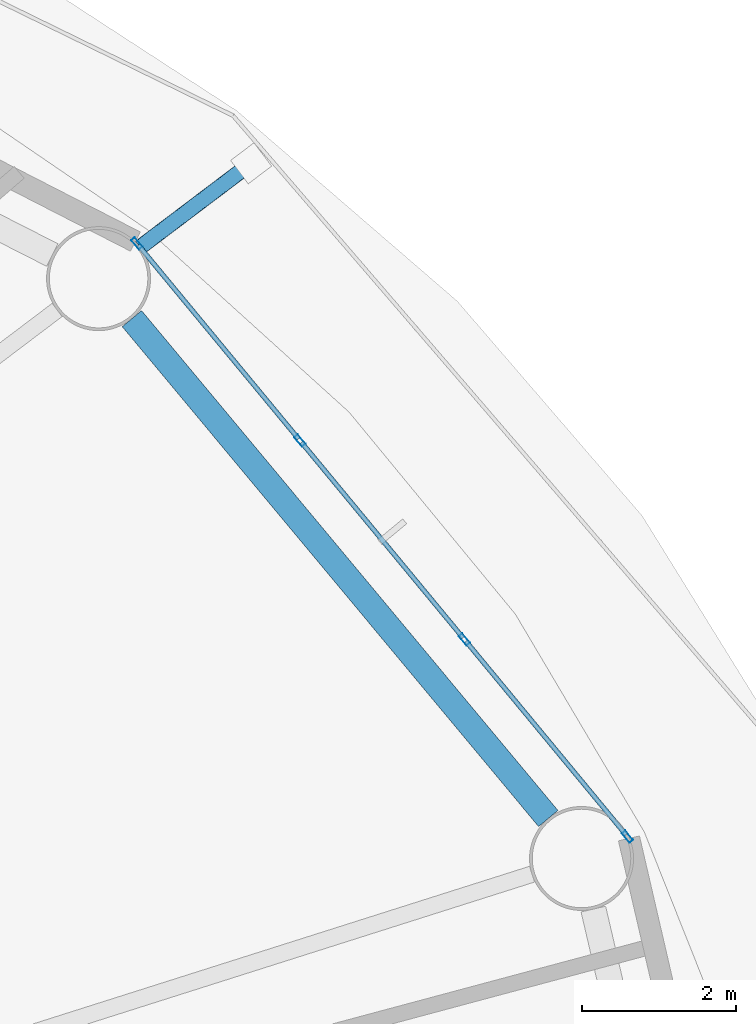
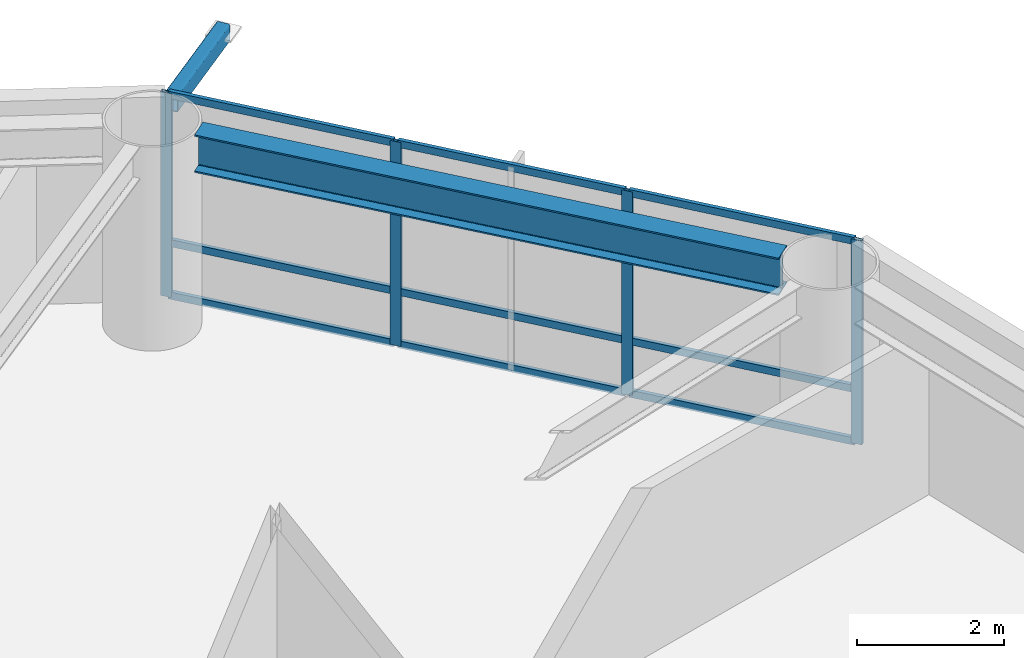
# One storey, part 14 of 26: 14 members, 1 beam, 1 element without a shape of its own.
"""IFC4 building model written with IfcOpenShell, lengths in metres."""

import ifcopenshell
import ifcopenshell.guid

model = None  # the IFC model being written
_history = None  # IfcOwnerHistory: only IFC2X3 demands one
_inside = {}  # id of a spatial element -> (the spatial element, [elements in it])
_under = {}  # id of a project, library or spatial element -> (it, [spatial elements below it])
_declared = {}  # id of a project -> (the project, [libraries it declares])
_typed = {}  # id of a type object -> (the type object, [elements of that type])
_made_of = {}  # id of a material, layer set ... -> (it, [elements and type objects made of it])


def new_model(schema):
    """Start an empty IFC model of exactly this schema.

    Asked for "IFC4X3", IfcOpenShell would pick the latest addendum, in which some entities
    have other attributes; the version numbers below select the first issue.
    IFC2X3 requires an IfcOwnerHistory on every rooted entity: one is made here for all.
    """
    global model, _history
    if schema == "IFC4X3":
        model = ifcopenshell.file(schema_version=(4, 3, 0, 0))
    else:
        model = ifcopenshell.file(schema=schema)
    _inside.clear()
    _under.clear()
    _declared.clear()
    _typed.clear()
    _made_of.clear()
    _history = None
    if model.schema == "IFC2X3":
        org = make("IfcOrganization", Name="unknown")
        user = make(
            "IfcPersonAndOrganization",
            ThePerson=make("IfcPerson", FamilyName="unknown"),
            TheOrganization=org,
        )
        app = make(
            "IfcApplication",
            ApplicationDeveloper=org,
            Version="unknown",
            ApplicationFullName="unknown",
            ApplicationIdentifier="unknown",
        )
        _history = make(
            "IfcOwnerHistory",
            OwningUser=user,
            OwningApplication=app,
            ChangeAction="ADDED",
            CreationDate=0,
        )
    return model


def make(cls, **values):
    """One entity of the class cls with the attributes given. An attribute that is None is left unset."""
    return model.create_entity(
        cls, **{name: value for name, value in values.items() if value is not None}
    )


def rooted(cls, **values):
    """An entity with a GlobalId (a new one), such as an element, a storey or a relation."""
    return make(cls, GlobalId=ifcopenshell.guid.new(), OwnerHistory=_history, **values)


def si_unit(unit_type, name, prefix=None):
    """IfcSIUnit, for example si_unit("LENGTHUNIT", "METRE", prefix="MILLI")."""
    return make("IfcSIUnit", UnitType=unit_type, Prefix=prefix, Name=name)


def assignment(units):
    """IfcUnitAssignment: the units of a project."""
    return None if units is None else make("IfcUnitAssignment", Units=units)


def point(xyz):
    """IfcCartesianPoint."""
    return None if xyz is None else make("IfcCartesianPoint", Coordinates=xyz)


def direction(xyz):
    """IfcDirection."""
    return None if xyz is None else make("IfcDirection", DirectionRatios=xyz)


def frame(location, z_axis=None, x_axis=None):
    """IfcAxis2Placement3D, a coordinate frame: its origin and axes. An axis left out is left unset."""
    return make(
        "IfcAxis2Placement3D",
        Location=point(location),
        Axis=direction(z_axis),
        RefDirection=direction(x_axis),
    )


def frame_2d(location, x_axis=None):
    """IfcAxis2Placement2D, a coordinate frame in the plane: its origin and x axis."""
    return make(
        "IfcAxis2Placement2D", Location=point(location), RefDirection=direction(x_axis)
    )


def origin():
    """The frame at (0, 0, 0) with its axes left unset."""
    return frame((0.0, 0.0, 0.0))


def origin_2d():
    """The frame at (0, 0) in the plane with its x axis left unset."""
    return frame_2d((0.0, 0.0))


def place(relative_to, where):
    """IfcLocalPlacement: puts the frame where relative to a parent placement (None: the world)."""
    return make(
        "IfcLocalPlacement", PlacementRelTo=relative_to, RelativePlacement=where
    )


def context(
    kind, dimensions, precision=None, world=None, true_north=None, identifier=None
):
    """IfcGeometricRepresentationContext, for example the 3D "Model" context."""
    return make(
        "IfcGeometricRepresentationContext",
        ContextIdentifier=identifier,
        ContextType=kind,
        CoordinateSpaceDimension=dimensions,
        Precision=precision,
        WorldCoordinateSystem=world,
        TrueNorth=true_north,
    )


def subcontext(parent, identifier, kind, view, scale=None):
    """IfcGeometricRepresentationSubContext, for example "Body" below "Model"."""
    return make(
        "IfcGeometricRepresentationSubContext",
        ContextIdentifier=identifier,
        ContextType=kind,
        ParentContext=parent,
        TargetScale=scale,
        TargetView=view,
    )


def project(units=None, contexts=None):
    """IfcProject with its units and contexts."""
    return rooted(
        "IfcProject",
        Name="project",
        RepresentationContexts=contexts,
        UnitsInContext=assignment(units),
    )


def spatial(cls, under=None, at=None, **own):
    """A site, building, storey or space (cls), placed at a placement, below another one or the project."""
    s = rooted(cls, ObjectPlacement=at, **own)
    if under is not None:
        _under.setdefault(under.id(), (under, []))[1].append(s)
    return s


def profile(cls, at=None, kind="AREA", **sizes):
    """A parametric profile (cls). Its sizes go by their IFC names, for example OverallWidth=200.0."""
    return make(cls, ProfileType=kind, Position=at, **sizes)


def hollow_rectangle(**sizes):
    """IfcRectangleHollowProfileDef."""
    return profile("IfcRectangleHollowProfileDef", **sizes)


def i_section(**sizes):
    """IfcIShapeProfileDef."""
    return profile("IfcIShapeProfileDef", **sizes)


def extrude(swept, where, along, depth):
    """IfcExtrudedAreaSolid: the profile swept, set in the frame where, extruded along a direction by depth."""
    return make(
        "IfcExtrudedAreaSolid",
        SweptArea=swept,
        Position=where,
        ExtrudedDirection=direction(along),
        Depth=depth,
    )


def shape(context_of_items, identifier, shape_type, items):
    """IfcShapeRepresentation: the items that make up one representation, for example the "Body"."""
    return make(
        "IfcShapeRepresentation",
        ContextOfItems=context_of_items,
        RepresentationIdentifier=identifier,
        RepresentationType=shape_type,
        Items=items,
    )


def material(Name=None, Category=None):
    """IfcMaterial."""
    return make("IfcMaterial", Name=Name, Category=Category)


def layer(
    of_material, thickness, ventilated=None, Name=None, Category=None, Priority=None
):
    """IfcMaterialLayer: one layer of a wall or slab, of a material (None: an air gap)."""
    return make(
        "IfcMaterialLayer",
        Material=of_material,
        LayerThickness=thickness,
        IsVentilated=ventilated,
        Name=Name,
        Category=Category,
        Priority=Priority,
    )


def layer_set(layers, Name=None):
    """IfcMaterialLayerSet."""
    return make("IfcMaterialLayerSet", MaterialLayers=layers, LayerSetName=Name)


def material_profile(
    of_material, cross_section, Name=None, Category=None, Priority=None
):
    """IfcMaterialProfile: a cross section and its material."""
    return make(
        "IfcMaterialProfile",
        Name=Name,
        Material=of_material,
        Profile=cross_section,
        Priority=Priority,
        Category=Category,
    )


def profile_set(profiles, Name=None, composite=None):
    """IfcMaterialProfileSet."""
    return make(
        "IfcMaterialProfileSet",
        Name=Name,
        MaterialProfiles=profiles,
        CompositeProfile=composite,
    )


def made_of(thing, what):
    """Note that an element or type object is made of a material, layer set ...; save() writes the relation."""
    if what is not None:
        _made_of.setdefault(what.id(), (what, []))[1].append(thing)
    return thing


def type_object(cls, material=None, **own):
    """A type object (cls), such as IfcWallType, which elements share."""
    return made_of(rooted(cls, **own), material)


def element(
    cls,
    number,
    at=None,
    inside=None,
    cuts=None,
    type_object=None,
    material=None,
    context=None,
    identifier="Body",
    shape_type=None,
    held_by="IfcProductDefinitionShape",
    body=None,
    shapes=None,
    **own,
):
    """One element of the class cls, such as IfcWall. Its Tag is "e" and its number.

    at: its placement. inside: the storey or other place that contains it. cuts: it is an
    opening in that element (IfcRelVoidsElement). A single representation is given by context,
    identifier, shape_type and body (its items); several are given by shapes. held_by: the class
    of the entity that holds the representations. save() writes the other relations.
    """
    e = rooted(cls, Tag="e%d" % number, ObjectPlacement=at, **own)
    if body is not None:
        shapes = [shape(context, identifier, shape_type, body)]
    if shapes is not None:
        e.Representation = make(held_by, Representations=shapes)
    if inside is not None:
        _inside.setdefault(inside.id(), (inside, []))[1].append(e)
    if cuts is not None:
        rooted(
            "IfcRelVoidsElement", RelatingBuildingElement=cuts, RelatedOpeningElement=e
        )
    if type_object is not None:
        _typed.setdefault(type_object.id(), (type_object, []))[1].append(e)
    return made_of(e, material)


def aggregate(whole, parts):
    """IfcRelAggregates: a whole, such as a stair, and the parts it consists of."""
    return rooted("IfcRelAggregates", RelatingObject=whole, RelatedObjects=parts)


def save(model, path):
    """Write the relations noted so far, then the file.

    IfcRelAggregates (storeys below a building ...), IfcRelContainedInSpatialStructure (elements
    in a storey), IfcRelDefinesByType, IfcRelAssociatesMaterial and IfcRelDeclares: one each for
    every whole, place, type object, material and project.
    """
    for whole, parts in _under.values():
        aggregate(whole, parts)
    for where, things in _inside.values():
        rooted(
            "IfcRelContainedInSpatialStructure",
            RelatedElements=things,
            RelatingStructure=where,
        )
    for kind, things in _typed.values():
        rooted("IfcRelDefinesByType", RelatedObjects=things, RelatingType=kind)
    for what, things in _made_of.values():
        rooted("IfcRelAssociatesMaterial", RelatedObjects=things, RelatingMaterial=what)
    for by, libraries in _declared.values():
        rooted("IfcRelDeclares", RelatingContext=by, RelatedDefinitions=libraries)
    model.write(path)


model = new_model("IFC4")

# Units and contexts
model_context = context("Model", 3, precision=1e-05, world=origin(), true_north=direction((0.0, 1.0)))
body_context = subcontext(model_context, "Body", "Model", "MODEL_VIEW")
ifc_project = project(units=[si_unit("LENGTHUNIT", "METRE"), si_unit("AREAUNIT", "SQUARE_METRE"), si_unit("VOLUMEUNIT", "CUBIC_METRE"), si_unit("PLANEANGLEUNIT", "RADIAN"), si_unit("MASSUNIT", "GRAM", prefix="KILO")], contexts=[model_context])

# Site, building, storey
site_placement = place(None, origin())
site = spatial("IfcSite", under=ifc_project, at=site_placement, CompositionType="ELEMENT")
building_placement = place(site_placement, origin())
building = spatial("IfcBuilding", under=site, at=building_placement, Name="Sarneth Arch Tower", CompositionType="ELEMENT")
storey_placement = place(building_placement, frame((0.0, 0.0, 46.199951171875)))
storey = spatial("IfcBuildingStorey", under=building, at=storey_placement, Name="L10", CompositionType="ELEMENT", Elevation=46.199951171875)

# Beam
ifc_material_1 = material(Name="Steel S355", Category="steel")
ifc_material_profile_1 = material_profile(ifc_material_1, i_section(OverallWidth=0.326904296875, OverallDepth=0.6220703125, WebThickness=0.015380859375, FlangeThickness=0.0244140625, FilletRadius=0.01904296875, at=origin_2d()), Name="W610x195")
ifc_profile_set_1 = profile_set([ifc_material_profile_1], Name="Steel S355")
beam_type = type_object("IfcBeamType", Name="BM-SPAN-610A", PredefinedType="SPANDREL", material=ifc_profile_set_1)
beam_placement = place(storey_placement, frame((75.533447265625, 51.39697265625, 3.069091796875), z_axis=(-0.639979646835, 0.768391860731, 0.0), x_axis=(-0.768391860731, -0.639979646835, 0.0)))
element("IfcBeam", 1, at=beam_placement, inside=storey, type_object=beam_type, Name="L10 Perimeter spandrel beam 02", PredefinedType="SPANDREL", context=body_context, shape_type="SweptSolid", body=[
    extrude(i_section(OverallWidth=0.326904296875, OverallDepth=0.6220703125, WebThickness=0.015380859375, FlangeThickness=0.0244140625, FilletRadius=0.01904296875, at=origin_2d()), origin(), (0.0, 0.0, 1.0), 8.4453125),
])

# Curtain wall, members
ifc_material_2 = material(Name="Anodised aluminium Type AA25 and solar-control low-e laminated IGU", Category="aluminium")
ifc_layer = layer(ifc_material_2, 0.159912109375)
ifc_layer_set = layer_set([ifc_layer], Name="Anodised aluminium Type AA25 and solar-control low-e laminated IGU")
curtain_wall_type = type_object("IfcCurtainWallType", Name="CW-HOTEL-LOW", PredefinedType="NOTDEFINED", material=ifc_layer_set)
curtain_wall_placement = place(storey_placement, origin())
curtain_wall = element("IfcCurtainWall", 2, at=curtain_wall_placement, inside=storey, type_object=curtain_wall_type, Name="L10 Unitised curtain wall facet 02", PredefinedType="NOTDEFINED")
ifc_material_3 = material(Name="Anodised Aluminium 6063-T6", Category="aluminium")
ifc_material_profile_2 = material_profile(ifc_material_3, hollow_rectangle(XDim=0.06005859375, YDim=0.159912109375, WallThickness=0.00390625, at=origin_2d()), Name="AL-MULL-160x60x4")
ifc_profile_set_2 = profile_set([ifc_material_profile_2], Name="Anodised Aluminium 6063-T6")
member_type_1 = type_object("IfcMemberType", Name="CW-MULLION", PredefinedType="MULLION", material=ifc_profile_set_2)
member_1_placement = place(storey_placement, frame((76.561767578125, 51.16162109375, 0.0), z_axis=(0.0, 0.0, 1.0), x_axis=(-0.770622960278, -0.637291340827, 0.0)))
member_1 = element("IfcMember", 3, at=member_1_placement, type_object=member_type_1, Name="CW-SYS-3 mullion 1", PredefinedType="MULLION", context=body_context, shape_type="SweptSolid", body=[
    extrude(hollow_rectangle(XDim=0.06005859375, YDim=0.159912109375, WallThickness=0.00390625, at=origin_2d()), origin(), (0.0, 0.0, 1.0), 3.380126953125),
])
member_2_placement = place(storey_placement, frame((74.4453125, 53.720947265625, 0.0), z_axis=(0.0, 0.0, 1.0), x_axis=(-0.770622960278, -0.637291340827, 0.0)))
member_2 = element("IfcMember", 4, at=member_2_placement, type_object=member_type_1, Name="CW-SYS-3 mullion 2", PredefinedType="MULLION", context=body_context, shape_type="SweptSolid", body=[
    extrude(hollow_rectangle(XDim=0.06005859375, YDim=0.159912109375, WallThickness=0.00390625, at=origin_2d()), origin(), (0.0, 0.0, 1.0), 3.380126953125),
])
member_3_placement = place(storey_placement, frame((72.309814453125, 56.30322265625, 0.0), z_axis=(0.0, 0.0, 1.0), x_axis=(-0.770622960278, -0.637291340827, 0.0)))
member_3 = element("IfcMember", 5, at=member_3_placement, type_object=member_type_1, Name="CW-SYS-3 mullion 3", PredefinedType="MULLION", context=body_context, shape_type="SweptSolid", body=[
    extrude(hollow_rectangle(XDim=0.06005859375, YDim=0.159912109375, WallThickness=0.00390625, at=origin_2d()), origin(), (0.0, 0.0, 1.0), 3.380126953125),
])
member_4_placement = place(storey_placement, frame((70.193359375, 58.862548828125, 0.0), z_axis=(0.0, 0.0, 1.0), x_axis=(-0.770622960278, -0.637291340827, 0.0)))
member_4 = element("IfcMember", 6, at=member_4_placement, type_object=member_type_1, Name="CW-SYS-3 mullion 4", PredefinedType="MULLION", context=body_context, shape_type="SweptSolid", body=[
    extrude(hollow_rectangle(XDim=0.06005859375, YDim=0.159912109375, WallThickness=0.00390625, at=origin_2d()), origin(), (0.0, 0.0, 1.0), 3.380126953125),
])
ifc_material_4 = material(Name="Anodised Aluminium 6063-T6", Category="aluminium")
ifc_material_profile_3 = material_profile(ifc_material_4, hollow_rectangle(XDim=0.06005859375, YDim=0.1201171875, WallThickness=0.00390625, at=origin_2d()), Name="AL-TRAN-120x60x4")
ifc_profile_set_3 = profile_set([ifc_material_profile_3], Name="Anodised Aluminium 6063-T6")
member_type_2 = type_object("IfcMemberType", Name="CW-TRANSOM", PredefinedType="USERDEFINED", material=ifc_profile_set_3)
member_5_placement = place(storey_placement, frame((76.542724609375, 51.184814453125, 0.030029296875), z_axis=(-0.63733019572, 0.77059082633, 0.0), x_axis=(-0.77059082633, -0.63733019572, 0.0)))
member_5 = element("IfcMember", 7, at=member_5_placement, type_object=member_type_2, Name="CW-SYS-3 transom 1.1", ObjectType="TRANSOM", PredefinedType="USERDEFINED", context=body_context, shape_type="SweptSolid", body=[
    extrude(hollow_rectangle(XDim=0.06005859375, YDim=0.1201171875, WallThickness=0.00390625, at=origin_2d()), origin(), (0.0, 0.0, 1.0), 3.260986328125),
])
member_6_placement = place(storey_placement, frame((76.542724609375, 51.184814453125, 0.900146484375), z_axis=(-0.63733019572, 0.77059082633, 0.0), x_axis=(-0.77059082633, -0.63733019572, 0.0)))
member_6 = element("IfcMember", 8, at=member_6_placement, type_object=member_type_2, Name="CW-SYS-3 transom 1.2", ObjectType="TRANSOM", PredefinedType="USERDEFINED", context=body_context, shape_type="SweptSolid", body=[
    extrude(hollow_rectangle(XDim=0.06005859375, YDim=0.1201171875, WallThickness=0.00390625, at=origin_2d()), origin(), (0.0, 0.0, 1.0), 3.260986328125),
])
member_7_placement = place(storey_placement, frame((76.542724609375, 51.184814453125, 3.35009765625), z_axis=(-0.63733019572, 0.77059082633, 0.0), x_axis=(-0.77059082633, -0.63733019572, 0.0)))
member_7 = element("IfcMember", 9, at=member_7_placement, type_object=member_type_2, Name="CW-SYS-3 transom 1.3", ObjectType="TRANSOM", PredefinedType="USERDEFINED", context=body_context, shape_type="SweptSolid", body=[
    extrude(hollow_rectangle(XDim=0.06005859375, YDim=0.1201171875, WallThickness=0.00390625, at=origin_2d()), origin(), (0.0, 0.0, 1.0), 3.260986328125),
])
member_8_placement = place(storey_placement, frame((74.42626953125, 53.743896484375, 0.030029296875), z_axis=(-0.637268595771, 0.770641769465, 0.0), x_axis=(-0.770641769465, -0.637268595771, 0.0)))
member_8 = element("IfcMember", 10, at=member_8_placement, type_object=member_type_2, Name="CW-SYS-3 transom 2.1", ObjectType="TRANSOM", PredefinedType="USERDEFINED", context=body_context, shape_type="SweptSolid", body=[
    extrude(hollow_rectangle(XDim=0.06005859375, YDim=0.1201171875, WallThickness=0.00390625, at=origin_2d()), origin(), (0.0, 0.0, 1.0), 3.291259765625),
])
member_9_placement = place(storey_placement, frame((74.42626953125, 53.743896484375, 0.900146484375), z_axis=(-0.637268595771, 0.770641769465, 0.0), x_axis=(-0.770641769465, -0.637268595771, 0.0)))
member_9 = element("IfcMember", 11, at=member_9_placement, type_object=member_type_2, Name="CW-SYS-3 transom 2.2", ObjectType="TRANSOM", PredefinedType="USERDEFINED", context=body_context, shape_type="SweptSolid", body=[
    extrude(hollow_rectangle(XDim=0.06005859375, YDim=0.1201171875, WallThickness=0.00390625, at=origin_2d()), origin(), (0.0, 0.0, 1.0), 3.291259765625),
])
member_10_placement = place(storey_placement, frame((74.42626953125, 53.743896484375, 3.35009765625), z_axis=(-0.637268595771, 0.770641769465, 0.0), x_axis=(-0.770641769465, -0.637268595771, 0.0)))
member_10 = element("IfcMember", 12, at=member_10_placement, type_object=member_type_2, Name="CW-SYS-3 transom 2.3", ObjectType="TRANSOM", PredefinedType="USERDEFINED", context=body_context, shape_type="SweptSolid", body=[
    extrude(hollow_rectangle(XDim=0.06005859375, YDim=0.1201171875, WallThickness=0.00390625, at=origin_2d()), origin(), (0.0, 0.0, 1.0), 3.291259765625),
])
member_11_placement = place(storey_placement, frame((72.29052734375, 56.326416015625, 0.030029296875), z_axis=(-0.637285736625, 0.770627594817, 0.0), x_axis=(-0.770627594817, -0.637285736625, 0.0)))
member_11 = element("IfcMember", 13, at=member_11_placement, type_object=member_type_2, Name="CW-SYS-3 transom 3.1", ObjectType="TRANSOM", PredefinedType="USERDEFINED", context=body_context, shape_type="SweptSolid", body=[
    extrude(hollow_rectangle(XDim=0.06005859375, YDim=0.1201171875, WallThickness=0.00390625, at=origin_2d()), origin(), (0.0, 0.0, 1.0), 3.260986328125),
])
member_12_placement = place(storey_placement, frame((72.29052734375, 56.326416015625, 0.900146484375), z_axis=(-0.637285736625, 0.770627594817, 0.0), x_axis=(-0.770627594817, -0.637285736625, 0.0)))
member_12 = element("IfcMember", 14, at=member_12_placement, type_object=member_type_2, Name="CW-SYS-3 transom 3.2", ObjectType="TRANSOM", PredefinedType="USERDEFINED", context=body_context, shape_type="SweptSolid", body=[
    extrude(hollow_rectangle(XDim=0.06005859375, YDim=0.1201171875, WallThickness=0.00390625, at=origin_2d()), origin(), (0.0, 0.0, 1.0), 3.260986328125),
])
member_13_placement = place(storey_placement, frame((72.29052734375, 56.326416015625, 3.35009765625), z_axis=(-0.637285736625, 0.770627594817, 0.0), x_axis=(-0.770627594817, -0.637285736625, 0.0)))
member_13 = element("IfcMember", 15, at=member_13_placement, type_object=member_type_2, Name="CW-SYS-3 transom 3.3", ObjectType="TRANSOM", PredefinedType="USERDEFINED", context=body_context, shape_type="SweptSolid", body=[
    extrude(hollow_rectangle(XDim=0.06005859375, YDim=0.1201171875, WallThickness=0.00390625, at=origin_2d()), origin(), (0.0, 0.0, 1.0), 3.260986328125),
])
aggregate(curtain_wall, [member_1, member_2, member_3, member_4, member_5, member_6, member_7, member_8, member_9, member_10, member_11, member_12, member_13])

# Member
ifc_material_5 = material(Name="Steel S355", Category="steel")
ifc_material_profile_4 = material_profile(ifc_material_5, hollow_rectangle(XDim=0.199951171875, YDim=0.300048828125, WallThickness=0.012451171875, InnerFilletRadius=0.018798828125, OuterFilletRadius=0.03125, at=origin_2d()), Name="RHS300x200x12.5")
ifc_profile_set_4 = profile_set([ifc_material_profile_4], Name="Steel S355")
member_type_3 = type_object("IfcMemberType", Name="MEM-CANT-STRUT", PredefinedType="STRUT", material=ifc_profile_set_4)
member_14_placement = place(storey_placement, frame((70.235107421875, 58.81201171875, 3.219970703125), z_axis=(0.797659331282, 0.603108274872, 0.0), x_axis=(-0.603108274872, 0.797659331282, 0.0)))
element("IfcMember", 16, at=member_14_placement, inside=storey, type_object=member_type_3, Name="L10 Balcony cantilever bracket 03", PredefinedType="STRUT", context=body_context, shape_type="SweptSolid", body=[
    extrude(hollow_rectangle(XDim=0.199951171875, YDim=0.300048828125, WallThickness=0.012451171875, InnerFilletRadius=0.018798828125, OuterFilletRadius=0.03125, at=origin_2d()), origin(), (0.0, 0.0, 1.0), 1.80712890625),
])

save(model, "model.ifc")
